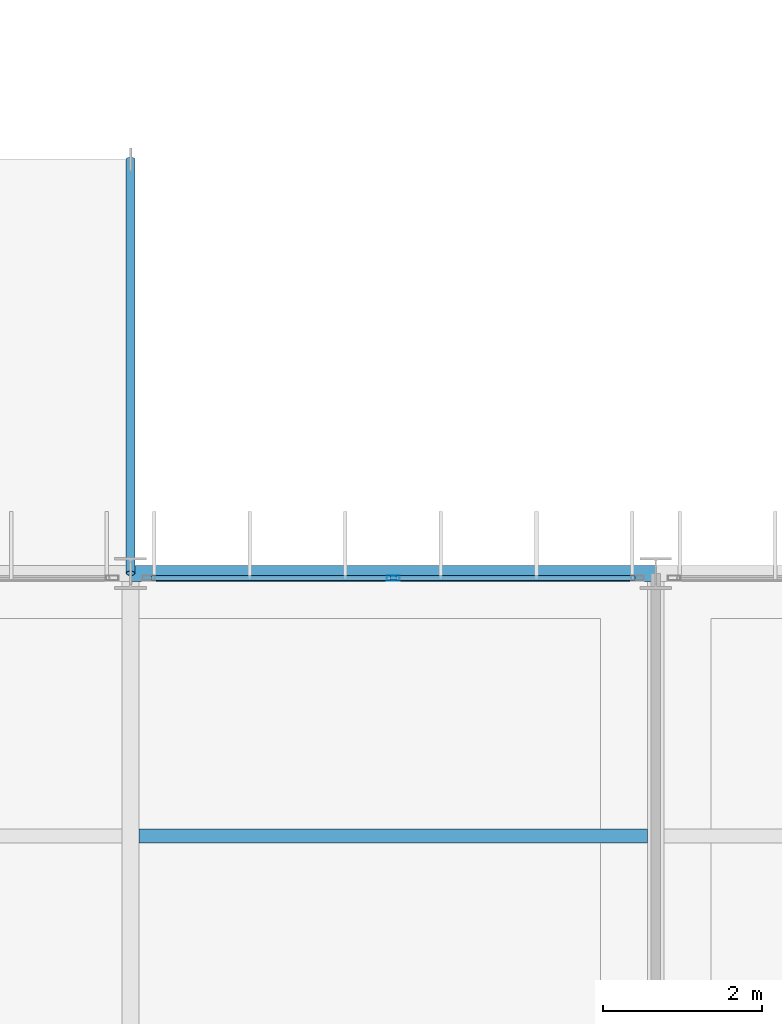
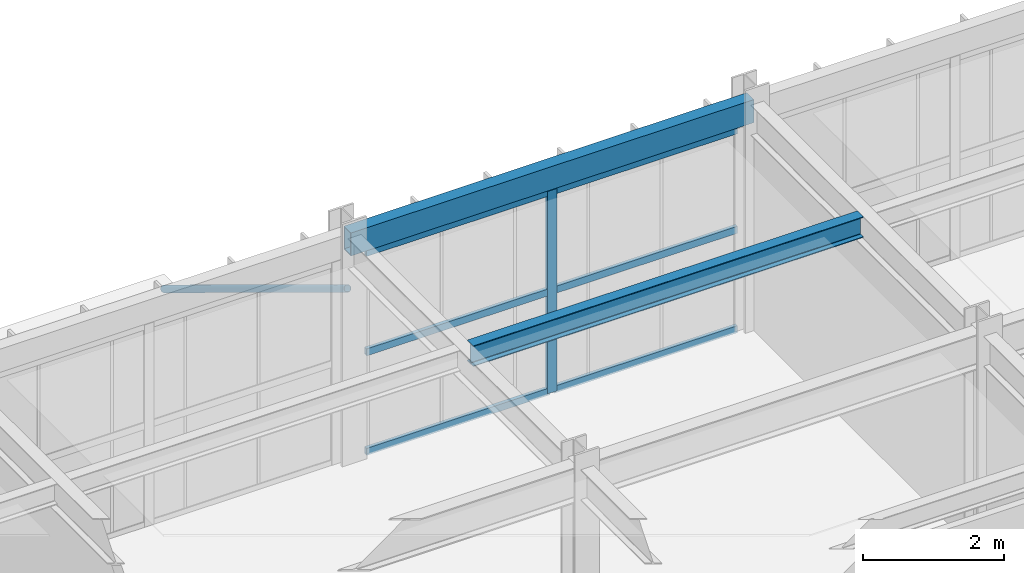
# One storey, part 59 of 148: 8 members, 2 beams, 1 element without a shape of its own.
"""IFC4 building model written with IfcOpenShell, lengths in metres."""

from ifc_helpers import new_model, si_unit, direction, frame, origin, origin_2d, place, context, subcontext, project, spatial, hollow_rectangle, hollow_circle, i_section, extrude, material, material_profile, profile_set, type_object, element, aggregate, save


model = new_model("IFC4")

# Units and contexts
model_context = context("Model", 3, precision=1e-05, world=origin(), true_north=direction((0.0, 1.0)))
body_context = subcontext(model_context, "Body", "Model", "MODEL_VIEW")
ifc_project = project(units=[si_unit("LENGTHUNIT", "METRE"), si_unit("AREAUNIT", "SQUARE_METRE"), si_unit("VOLUMEUNIT", "CUBIC_METRE"), si_unit("PLANEANGLEUNIT", "RADIAN"), si_unit("MASSUNIT", "GRAM", prefix="KILO")], contexts=[model_context])

# Site, building, storey
site_placement = place(None, origin())
site = spatial("IfcSite", under=ifc_project, at=site_placement, CompositionType="ELEMENT")
building_placement = place(site_placement, origin())
building = spatial("IfcBuilding", under=site, at=building_placement, Name="Karori Crest Natural Sciences Institute", CompositionType="ELEMENT")
storey_placement = place(building_placement, frame((0.0, 0.0, 4.89990234375)))
storey = spatial("IfcBuildingStorey", under=building, at=storey_placement, Name="L01", CompositionType="ELEMENT", Elevation=4.89990234375)

# Beams
ifc_material_1 = material(Name="Structural steel AS/NZS 3679.1 Grade 350", Category="steel")
ifc_material_profile_1 = material_profile(ifc_material_1, i_section(OverallWidth=0.172119140625, OverallDepth=0.35888671875, WebThickness=0.008056640625, FlangeThickness=0.012939453125, FilletRadius=0.010986328125, at=origin_2d()), Name="360UB56.7")
ifc_profile_set_1 = profile_set([ifc_material_profile_1], Name="Structural steel AS/NZS 3679.1 Grade 350")
beam_type_1 = type_object("IfcBeamType", Name="BT-08", PredefinedType="BEAM", material=ifc_profile_set_1)
beam_1_placement = place(storey_placement, frame((123.50439453125, 17.300048828125, 3.740478515625), z_axis=(1.0, 0.0, 0.0), x_axis=(0.0, 1.0, 0.0)))
element("IfcBeam", 1, at=beam_1_placement, inside=storey, type_object=beam_type_1, Name="Beam B-2181", PredefinedType="BEAM", context=body_context, shape_type="SweptSolid", body=[
    extrude(i_section(OverallWidth=0.172119140625, OverallDepth=0.35888671875, WebThickness=0.008056640625, FlangeThickness=0.012939453125, FilletRadius=0.010986328125, at=origin_2d()), origin(), (0.0, 0.0, 1.0), 6.39111328125),
])
ifc_material_2 = material(Name="Hollow structural steel AS/NZS 1163 Grade C350", Category="steel")
ifc_material_profile_2 = material_profile(ifc_material_2, hollow_rectangle(XDim=0.199951171875, YDim=0.39990234375, WallThickness=0.012451171875, at=origin_2d()), Name="RHS400x200x12.5")
ifc_profile_set_2 = profile_set([ifc_material_profile_2], Name="Hollow structural steel AS/NZS 1163 Grade C350")
beam_type_2 = type_object("IfcBeamType", Name="BT-14", PredefinedType="SPANDREL", material=ifc_profile_set_2)
beam_2_placement = place(storey_placement, frame((123.39990234375, 20.60009765625, 3.72021484375), z_axis=(1.0, 0.0, 0.0), x_axis=(0.0, 1.0, 0.0)))
element("IfcBeam", 2, at=beam_2_placement, inside=storey, type_object=beam_type_2, Name="Beam B-2136", PredefinedType="SPANDREL", context=body_context, shape_type="SweptSolid", body=[
    extrude(hollow_rectangle(XDim=0.199951171875, YDim=0.39990234375, WallThickness=0.012451171875, at=origin_2d()), origin(), (0.0, 0.0, 1.0), 6.60009765625),
])

# Curtain wall, members
ifc_material_3 = material(Name="Anodised architectural aluminium 6063-T6", Category="aluminium")
curtain_wall_type = type_object("IfcCurtainWallType", Name="CWT-20", PredefinedType="NOTDEFINED", material=ifc_material_3)
curtain_wall_placement = place(storey_placement, origin())
curtain_wall = element("IfcCurtainWall", 3, at=curtain_wall_placement, inside=storey, type_object=curtain_wall_type, Name="Curtain wall CW-0307", PredefinedType="NOTDEFINED")
ifc_material_profile_3 = material_profile(ifc_material_3, hollow_rectangle(XDim=0.06494140625, YDim=0.159912109375, WallThickness=0.00390625, at=origin_2d()), Name="CWM160x65x4")
ifc_profile_set_3 = profile_set([ifc_material_profile_3], Name="Anodised architectural aluminium 6063-T6")
member_type_1 = type_object("IfcMemberType", Name="CWM-01", PredefinedType="MULLION", material=ifc_profile_set_3)
member_1_placement = place(storey_placement, frame((126.699951171875, 20.5400390625, 0.0), z_axis=(0.0, 0.0, 1.0), x_axis=(0.0, 1.0, 0.0)))
member_1 = element("IfcMember", 4, at=member_1_placement, type_object=member_type_1, Name="CW-0307 mullion 2", PredefinedType="MULLION", context=body_context, shape_type="SweptSolid", body=[
    extrude(hollow_rectangle(XDim=0.06494140625, YDim=0.159912109375, WallThickness=0.00390625, at=origin_2d()), origin(), (0.0, 0.0, 1.0), 3.505126953125),
])
ifc_material_profile_4 = material_profile(ifc_material_3, hollow_rectangle(XDim=0.06005859375, YDim=0.1201171875, WallThickness=0.00390625, at=origin_2d()), Name="CWT120x60x4")
ifc_profile_set_4 = profile_set([ifc_material_profile_4], Name="Anodised architectural aluminium 6063-T6")
member_type_2 = type_object("IfcMemberType", Name="CWT-TR1", PredefinedType="USERDEFINED", material=ifc_profile_set_4)
member_2_placement = place(storey_placement, frame((123.6630859375, 20.5400390625, 0.030029296875), z_axis=(1.0, 0.0, 0.0), x_axis=(0.0, 1.0, 0.0)))
member_2 = element("IfcMember", 5, at=member_2_placement, type_object=member_type_2, Name="CW-0307 transom 1.1", ObjectType="TRANSOM", PredefinedType="USERDEFINED", context=body_context, shape_type="SweptSolid", body=[
    extrude(hollow_rectangle(XDim=0.06005859375, YDim=0.1201171875, WallThickness=0.00390625, at=origin_2d()), origin(), (0.0, 0.0, 1.0), 3.00439453125),
])
member_3_placement = place(storey_placement, frame((123.6630859375, 20.5400390625, 1.752685546875), z_axis=(1.0, 0.0, 0.0), x_axis=(0.0, 1.0, 0.0)))
member_3 = element("IfcMember", 6, at=member_3_placement, type_object=member_type_2, Name="CW-0307 transom 1.2", ObjectType="TRANSOM", PredefinedType="USERDEFINED", context=body_context, shape_type="SweptSolid", body=[
    extrude(hollow_rectangle(XDim=0.06005859375, YDim=0.1201171875, WallThickness=0.00390625, at=origin_2d()), origin(), (0.0, 0.0, 1.0), 3.00439453125),
])
member_4_placement = place(storey_placement, frame((123.6630859375, 20.5400390625, 3.47509765625), z_axis=(1.0, 0.0, 0.0), x_axis=(0.0, 1.0, 0.0)))
member_4 = element("IfcMember", 7, at=member_4_placement, type_object=member_type_2, Name="CW-0307 transom 1.3", ObjectType="TRANSOM", PredefinedType="USERDEFINED", context=body_context, shape_type="SweptSolid", body=[
    extrude(hollow_rectangle(XDim=0.06005859375, YDim=0.1201171875, WallThickness=0.00390625, at=origin_2d()), origin(), (0.0, 0.0, 1.0), 3.00439453125),
])
member_5_placement = place(storey_placement, frame((126.732421875, 20.5400390625, 0.030029296875), z_axis=(1.0, 0.0, 0.0), x_axis=(0.0, 1.0, 0.0)))
member_5 = element("IfcMember", 8, at=member_5_placement, type_object=member_type_2, Name="CW-0307 transom 2.1", ObjectType="TRANSOM", PredefinedType="USERDEFINED", context=body_context, shape_type="SweptSolid", body=[
    extrude(hollow_rectangle(XDim=0.06005859375, YDim=0.1201171875, WallThickness=0.00390625, at=origin_2d()), origin(), (0.0, 0.0, 1.0), 3.004638671875),
])
member_6_placement = place(storey_placement, frame((126.732421875, 20.5400390625, 1.752685546875), z_axis=(1.0, 0.0, 0.0), x_axis=(0.0, 1.0, 0.0)))
member_6 = element("IfcMember", 9, at=member_6_placement, type_object=member_type_2, Name="CW-0307 transom 2.2", ObjectType="TRANSOM", PredefinedType="USERDEFINED", context=body_context, shape_type="SweptSolid", body=[
    extrude(hollow_rectangle(XDim=0.06005859375, YDim=0.1201171875, WallThickness=0.00390625, at=origin_2d()), origin(), (0.0, 0.0, 1.0), 3.004638671875),
])
member_7_placement = place(storey_placement, frame((126.732421875, 20.5400390625, 3.47509765625), z_axis=(1.0, 0.0, 0.0), x_axis=(0.0, 1.0, 0.0)))
member_7 = element("IfcMember", 10, at=member_7_placement, type_object=member_type_2, Name="CW-0307 transom 2.3", ObjectType="TRANSOM", PredefinedType="USERDEFINED", context=body_context, shape_type="SweptSolid", body=[
    extrude(hollow_rectangle(XDim=0.06005859375, YDim=0.1201171875, WallThickness=0.00390625, at=origin_2d()), origin(), (0.0, 0.0, 1.0), 3.004638671875),
])
aggregate(curtain_wall, [member_1, member_2, member_3, member_4, member_5, member_6, member_7])

# Member
ifc_material_profile_5 = material_profile(ifc_material_2, hollow_circle(Radius=0.05712890625, WallThickness=0.006103515625, at=origin_2d()), Name="CHS114.3x6.0")
ifc_profile_set_5 = profile_set([ifc_material_profile_5], Name="Hollow structural steel AS/NZS 1163 Grade C350")
member_type_3 = type_object("IfcMemberType", Name="MT-19", PredefinedType="STRUT", material=ifc_profile_set_5)
member_8_placement = place(storey_placement, frame((123.39990234375, 25.800048828125, -0.260009765625), z_axis=(0.0, -0.854565586417, 0.519343487984), x_axis=(1.0, 0.0, 0.0)))
element("IfcMember", 11, at=member_8_placement, inside=storey, type_object=member_type_3, Name="Member M-0500", PredefinedType="STRUT", context=body_context, shape_type="SweptSolid", body=[
    extrude(hollow_circle(Radius=0.05712890625, WallThickness=0.006103515625, at=origin_2d()), origin(), (0.0, 0.0, 1.0), 6.0849609375),
])

save(model, "model.ifc")
